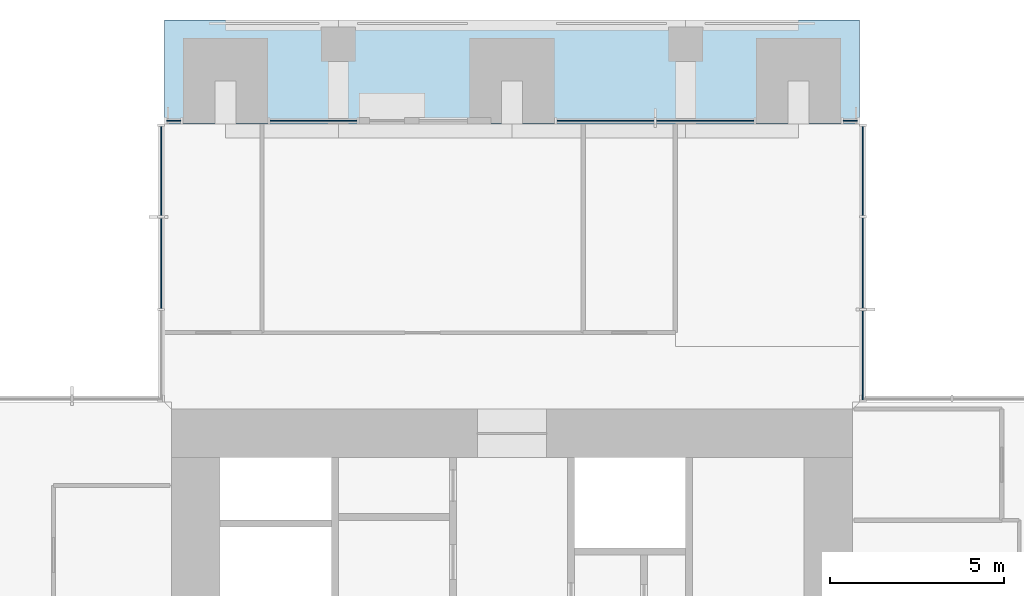
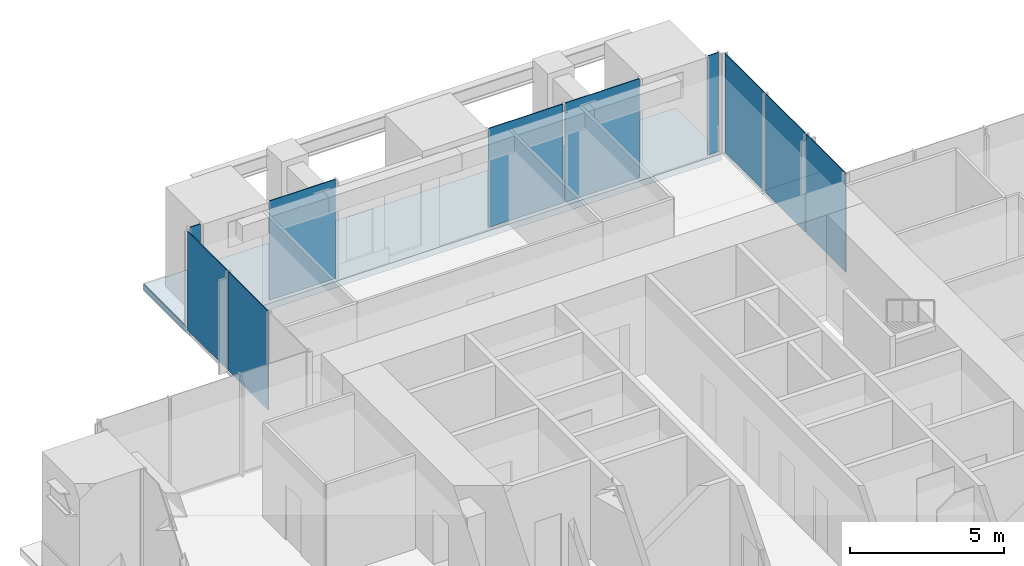
# One storey, part 11 of 17: 10 plates, 1 slab, 6 elements without a shape of their own.
"""IFC4 building model written with IfcOpenShell, lengths in metres."""

import ifcopenshell
import ifcopenshell.guid

model = None  # the IFC model being written
_history = None  # IfcOwnerHistory: only IFC2X3 demands one
_inside = {}  # id of a spatial element -> (the spatial element, [elements in it])
_under = {}  # id of a project, library or spatial element -> (it, [spatial elements below it])
_declared = {}  # id of a project -> (the project, [libraries it declares])
_typed = {}  # id of a type object -> (the type object, [elements of that type])
_made_of = {}  # id of a material, layer set ... -> (it, [elements and type objects made of it])


def new_model(schema):
    """Start an empty IFC model of exactly this schema.

    Asked for "IFC4X3", IfcOpenShell would pick the latest addendum, in which some entities
    have other attributes; the version numbers below select the first issue.
    IFC2X3 requires an IfcOwnerHistory on every rooted entity: one is made here for all.
    """
    global model, _history
    if schema == "IFC4X3":
        model = ifcopenshell.file(schema_version=(4, 3, 0, 0))
    else:
        model = ifcopenshell.file(schema=schema)
    _inside.clear()
    _under.clear()
    _declared.clear()
    _typed.clear()
    _made_of.clear()
    _history = None
    if model.schema == "IFC2X3":
        org = make("IfcOrganization", Name="unknown")
        user = make(
            "IfcPersonAndOrganization",
            ThePerson=make("IfcPerson", FamilyName="unknown"),
            TheOrganization=org,
        )
        app = make(
            "IfcApplication",
            ApplicationDeveloper=org,
            Version="unknown",
            ApplicationFullName="unknown",
            ApplicationIdentifier="unknown",
        )
        _history = make(
            "IfcOwnerHistory",
            OwningUser=user,
            OwningApplication=app,
            ChangeAction="ADDED",
            CreationDate=0,
        )
    return model


def make(cls, **values):
    """One entity of the class cls with the attributes given. An attribute that is None is left unset."""
    return model.create_entity(
        cls, **{name: value for name, value in values.items() if value is not None}
    )


def rooted(cls, **values):
    """An entity with a GlobalId (a new one), such as an element, a storey or a relation."""
    return make(cls, GlobalId=ifcopenshell.guid.new(), OwnerHistory=_history, **values)


def si_unit(unit_type, name, prefix=None):
    """IfcSIUnit, for example si_unit("LENGTHUNIT", "METRE", prefix="MILLI")."""
    return make("IfcSIUnit", UnitType=unit_type, Prefix=prefix, Name=name)


def assignment(units):
    """IfcUnitAssignment: the units of a project."""
    return None if units is None else make("IfcUnitAssignment", Units=units)


def point(xyz):
    """IfcCartesianPoint."""
    return None if xyz is None else make("IfcCartesianPoint", Coordinates=xyz)


def direction(xyz):
    """IfcDirection."""
    return None if xyz is None else make("IfcDirection", DirectionRatios=xyz)


def frame(location, z_axis=None, x_axis=None):
    """IfcAxis2Placement3D, a coordinate frame: its origin and axes. An axis left out is left unset."""
    return make(
        "IfcAxis2Placement3D",
        Location=point(location),
        Axis=direction(z_axis),
        RefDirection=direction(x_axis),
    )


def frame_2d(location, x_axis=None):
    """IfcAxis2Placement2D, a coordinate frame in the plane: its origin and x axis."""
    return make(
        "IfcAxis2Placement2D", Location=point(location), RefDirection=direction(x_axis)
    )


def origin():
    """The frame at (0, 0, 0) with its axes left unset."""
    return frame((0.0, 0.0, 0.0))


def origin_2d():
    """The frame at (0, 0) in the plane with its x axis left unset."""
    return frame_2d((0.0, 0.0))


def place(relative_to, where):
    """IfcLocalPlacement: puts the frame where relative to a parent placement (None: the world)."""
    return make(
        "IfcLocalPlacement", PlacementRelTo=relative_to, RelativePlacement=where
    )


def context(
    kind, dimensions, precision=None, world=None, true_north=None, identifier=None
):
    """IfcGeometricRepresentationContext, for example the 3D "Model" context."""
    return make(
        "IfcGeometricRepresentationContext",
        ContextIdentifier=identifier,
        ContextType=kind,
        CoordinateSpaceDimension=dimensions,
        Precision=precision,
        WorldCoordinateSystem=world,
        TrueNorth=true_north,
    )


def subcontext(parent, identifier, kind, view, scale=None):
    """IfcGeometricRepresentationSubContext, for example "Body" below "Model"."""
    return make(
        "IfcGeometricRepresentationSubContext",
        ContextIdentifier=identifier,
        ContextType=kind,
        ParentContext=parent,
        TargetScale=scale,
        TargetView=view,
    )


def project(units=None, contexts=None):
    """IfcProject with its units and contexts."""
    return rooted(
        "IfcProject",
        Name="project",
        RepresentationContexts=contexts,
        UnitsInContext=assignment(units),
    )


def spatial(cls, under=None, at=None, **own):
    """A site, building, storey or space (cls), placed at a placement, below another one or the project."""
    s = rooted(cls, ObjectPlacement=at, **own)
    if under is not None:
        _under.setdefault(under.id(), (under, []))[1].append(s)
    return s


def polyline(points):
    """IfcPolyline through the points."""
    return make("IfcPolyline", Points=[point(p) for p in points])


def profile(cls, at=None, kind="AREA", **sizes):
    """A parametric profile (cls). Its sizes go by their IFC names, for example OverallWidth=200.0."""
    return make(cls, ProfileType=kind, Position=at, **sizes)


def rectangle(**sizes):
    """IfcRectangleProfileDef."""
    return profile("IfcRectangleProfileDef", **sizes)


def outline(outer, holes=None, kind="AREA"):
    """IfcArbitraryClosedProfileDef: a profile drawn as a closed curve; with holes, ...WithVoids."""
    if holes is None:
        return make("IfcArbitraryClosedProfileDef", ProfileType=kind, OuterCurve=outer)
    return make(
        "IfcArbitraryProfileDefWithVoids",
        ProfileType=kind,
        OuterCurve=outer,
        InnerCurves=holes,
    )


def extrude(swept, where, along, depth):
    """IfcExtrudedAreaSolid: the profile swept, set in the frame where, extruded along a direction by depth."""
    return make(
        "IfcExtrudedAreaSolid",
        SweptArea=swept,
        Position=where,
        ExtrudedDirection=direction(along),
        Depth=depth,
    )


def shape(context_of_items, identifier, shape_type, items):
    """IfcShapeRepresentation: the items that make up one representation, for example the "Body"."""
    return make(
        "IfcShapeRepresentation",
        ContextOfItems=context_of_items,
        RepresentationIdentifier=identifier,
        RepresentationType=shape_type,
        Items=items,
    )


def material(Name=None, Category=None):
    """IfcMaterial."""
    return make("IfcMaterial", Name=Name, Category=Category)


def layer(
    of_material, thickness, ventilated=None, Name=None, Category=None, Priority=None
):
    """IfcMaterialLayer: one layer of a wall or slab, of a material (None: an air gap)."""
    return make(
        "IfcMaterialLayer",
        Material=of_material,
        LayerThickness=thickness,
        IsVentilated=ventilated,
        Name=Name,
        Category=Category,
        Priority=Priority,
    )


def layer_set(layers, Name=None):
    """IfcMaterialLayerSet."""
    return make("IfcMaterialLayerSet", MaterialLayers=layers, LayerSetName=Name)


def made_of(thing, what):
    """Note that an element or type object is made of a material, layer set ...; save() writes the relation."""
    if what is not None:
        _made_of.setdefault(what.id(), (what, []))[1].append(thing)
    return thing


def type_object(cls, material=None, **own):
    """A type object (cls), such as IfcWallType, which elements share."""
    return made_of(rooted(cls, **own), material)


def element(
    cls,
    number,
    at=None,
    inside=None,
    cuts=None,
    type_object=None,
    material=None,
    context=None,
    identifier="Body",
    shape_type=None,
    held_by="IfcProductDefinitionShape",
    body=None,
    shapes=None,
    **own,
):
    """One element of the class cls, such as IfcWall. Its Tag is "e" and its number.

    at: its placement. inside: the storey or other place that contains it. cuts: it is an
    opening in that element (IfcRelVoidsElement). A single representation is given by context,
    identifier, shape_type and body (its items); several are given by shapes. held_by: the class
    of the entity that holds the representations. save() writes the other relations.
    """
    e = rooted(cls, Tag="e%d" % number, ObjectPlacement=at, **own)
    if body is not None:
        shapes = [shape(context, identifier, shape_type, body)]
    if shapes is not None:
        e.Representation = make(held_by, Representations=shapes)
    if inside is not None:
        _inside.setdefault(inside.id(), (inside, []))[1].append(e)
    if cuts is not None:
        rooted(
            "IfcRelVoidsElement", RelatingBuildingElement=cuts, RelatedOpeningElement=e
        )
    if type_object is not None:
        _typed.setdefault(type_object.id(), (type_object, []))[1].append(e)
    return made_of(e, material)


def aggregate(whole, parts):
    """IfcRelAggregates: a whole, such as a stair, and the parts it consists of."""
    return rooted("IfcRelAggregates", RelatingObject=whole, RelatedObjects=parts)


def save(model, path):
    """Write the relations noted so far, then the file.

    IfcRelAggregates (storeys below a building ...), IfcRelContainedInSpatialStructure (elements
    in a storey), IfcRelDefinesByType, IfcRelAssociatesMaterial and IfcRelDeclares: one each for
    every whole, place, type object, material and project.
    """
    for whole, parts in _under.values():
        aggregate(whole, parts)
    for where, things in _inside.values():
        rooted(
            "IfcRelContainedInSpatialStructure",
            RelatedElements=things,
            RelatingStructure=where,
        )
    for kind, things in _typed.values():
        rooted("IfcRelDefinesByType", RelatedObjects=things, RelatingType=kind)
    for what, things in _made_of.values():
        rooted("IfcRelAssociatesMaterial", RelatedObjects=things, RelatingMaterial=what)
    for by, libraries in _declared.values():
        rooted("IfcRelDeclares", RelatingContext=by, RelatedDefinitions=libraries)
    model.write(path)


model = new_model("IFC4")

# Units and contexts
model_context = context("Model", 3, precision=1e-05, world=origin(), true_north=direction((0.0, 1.0)))
body_context = subcontext(model_context, "Body", "Model", "MODEL_VIEW")
ifc_project = project(units=[si_unit("LENGTHUNIT", "METRE"), si_unit("AREAUNIT", "SQUARE_METRE"), si_unit("VOLUMEUNIT", "CUBIC_METRE"), si_unit("PLANEANGLEUNIT", "RADIAN"), si_unit("MASSUNIT", "GRAM", prefix="KILO")], contexts=[model_context])

# Site, building, storey
site_placement = place(None, origin())
site = spatial("IfcSite", under=ifc_project, at=site_placement, CompositionType="ELEMENT")
building_placement = place(site_placement, origin())
building = spatial("IfcBuilding", under=site, at=building_placement, Name="Svetlomir Tower", CompositionType="ELEMENT")
storey_placement = place(building_placement, frame((0.0, 0.0, 190.5)))
storey = spatial("IfcBuildingStorey", under=building, at=storey_placement, Name="L45", CompositionType="ELEMENT", Elevation=190.5)

# Curtain wall, plates
ifc_material_1 = material(Name="Bronze anodised aluminium curtain wall", Category="aluminium")
curtain_wall_type = type_object("IfcCurtainWallType", Name="CURTAIN WALL CW1 TOWER OFFICE", PredefinedType="NOTDEFINED", material=ifc_material_1)
curtain_wall_1_placement = place(storey_placement, origin())
curtain_wall_1 = element("IfcCurtainWall", 1, at=curtain_wall_1_placement, inside=storey, type_object=curtain_wall_type, Name="Curtain wall CW1 L45", PredefinedType="NOTDEFINED")
ifc_material_2 = material(Name="Tinted double glazed unit", Category="glass")
ifc_layer_1 = layer(ifc_material_2, 0.031982421875)
ifc_layer_set_1 = layer_set([ifc_layer_1], Name="Tinted double glazed unit")
plate_type = type_object("IfcPlateType", Name="CW1 GLAZED PANEL 32", PredefinedType="CURTAIN_PANEL", material=ifc_layer_set_1)
plate_1_placement = place(storey_placement, frame((31.10009765625, 32.349609375, 0.06494140625), z_axis=(0.0, 0.0, 1.0), x_axis=(0.0, 1.0, 0.0)))
plate_1 = element("IfcPlate", 2, at=plate_1_placement, type_object=plate_type, Name="CW1 panel 1.1", PredefinedType="CURTAIN_PANEL", context=body_context, shape_type="SweptSolid", body=[
    extrude(rectangle(XDim=2.569091796875, YDim=0.031982421875, at=origin_2d()), origin(), (0.0, 0.0, 1.0), 3.93505859375),
])
plate_2_placement = place(storey_placement, frame((31.10009765625, 35.0, 0.06494140625), z_axis=(0.0, 0.0, 1.0), x_axis=(0.0, 1.0, 0.0)))
plate_2 = element("IfcPlate", 3, at=plate_2_placement, type_object=plate_type, Name="CW1 panel 2.1", PredefinedType="CURTAIN_PANEL", context=body_context, shape_type="SweptSolid", body=[
    extrude(rectangle(XDim=2.6015625, YDim=0.031982421875, at=origin_2d()), origin(), (0.0, 0.0, 1.0), 3.93505859375),
])
plate_3_placement = place(storey_placement, frame((31.10009765625, 37.650390625, 0.06494140625), z_axis=(0.0, 0.0, 1.0), x_axis=(0.0, 1.0, 0.0)))
plate_3 = element("IfcPlate", 4, at=plate_3_placement, type_object=plate_type, Name="CW1 panel 3.1", PredefinedType="CURTAIN_PANEL", context=body_context, shape_type="SweptSolid", body=[
    extrude(rectangle(XDim=2.569091796875, YDim=0.031982421875, at=origin_2d()), origin(), (0.0, 0.0, 1.0), 3.93505859375),
])
aggregate(curtain_wall_1, [plate_1, plate_2, plate_3])

# Curtain wall, plate
curtain_wall_2_placement = place(storey_placement, origin())
curtain_wall_2 = element("IfcCurtainWall", 5, at=curtain_wall_2_placement, inside=storey, type_object=curtain_wall_type, Name="Curtain wall CW1 L45", PredefinedType="NOTDEFINED")
plate_4_placement = place(storey_placement, frame((30.737548828125, 39.10009765625, 0.06494140625), z_axis=(0.0, 0.0, 1.0), x_axis=(-1.0, 0.0, 0.0)))
plate_4 = element("IfcPlate", 6, at=plate_4_placement, type_object=plate_type, Name="CW1 panel 1.1", PredefinedType="CURTAIN_PANEL", context=body_context, shape_type="SweptSolid", body=[
    extrude(rectangle(XDim=0.39501953125, YDim=0.031982421875, at=origin_2d()), origin(), (0.0, 0.0, 1.0), 3.93505859375),
])
aggregate(curtain_wall_2, [plate_4])

# Curtain wall, plates
curtain_wall_3_placement = place(storey_placement, origin())
curtain_wall_3 = element("IfcCurtainWall", 7, at=curtain_wall_3_placement, inside=storey, type_object=curtain_wall_type, Name="Curtain wall CW1 L45", PredefinedType="NOTDEFINED")
plate_5_placement = place(storey_placement, frame((26.558837890625, 39.10009765625, 0.06494140625), z_axis=(0.0, 0.0, 1.0), x_axis=(-1.0, 0.0, 0.0)))
plate_5 = element("IfcPlate", 8, at=plate_5_placement, type_object=plate_type, Name="CW1 panel 1.1", PredefinedType="CURTAIN_PANEL", context=body_context, shape_type="SweptSolid", body=[
    extrude(rectangle(XDim=2.802490234375, YDim=0.031982421875, at=origin_2d()), origin(), (0.0, 0.0, 1.0), 3.93505859375),
])
plate_6_placement = place(storey_placement, frame((23.691162109375, 39.10009765625, 0.06494140625), z_axis=(0.0, 0.0, 1.0), x_axis=(-1.0, 0.0, 0.0)))
plate_6 = element("IfcPlate", 9, at=plate_6_placement, type_object=plate_type, Name="CW1 panel 2.1", PredefinedType="CURTAIN_PANEL", context=body_context, shape_type="SweptSolid", body=[
    extrude(rectangle(XDim=2.802490234375, YDim=0.031982421875, at=origin_2d()), origin(), (0.0, 0.0, 1.0), 3.93505859375),
])
aggregate(curtain_wall_3, [plate_5, plate_6])

# Curtain wall, plate
curtain_wall_4_placement = place(storey_placement, origin())
curtain_wall_4 = element("IfcCurtainWall", 10, at=curtain_wall_4_placement, inside=storey, type_object=curtain_wall_type, Name="Curtain wall CW1 L45", PredefinedType="NOTDEFINED")
plate_7_placement = place(storey_placement, frame((15.28759765625, 39.10009765625, 0.06494140625), z_axis=(0.0, 0.0, 1.0), x_axis=(-1.0, 0.0, 0.0)))
plate_7 = element("IfcPlate", 11, at=plate_7_placement, type_object=plate_type, Name="CW1 panel 1.1", PredefinedType="CURTAIN_PANEL", context=body_context, shape_type="SweptSolid", body=[
    extrude(rectangle(XDim=2.4951171875, YDim=0.031982421875, at=origin_2d()), origin(), (0.0, 0.0, 1.0), 3.93505859375),
])
aggregate(curtain_wall_4, [plate_7])

curtain_wall_5_placement = place(storey_placement, origin())
curtain_wall_5 = element("IfcCurtainWall", 12, at=curtain_wall_5_placement, inside=storey, type_object=curtain_wall_type, Name="Curtain wall CW1 L45", PredefinedType="NOTDEFINED")
plate_8_placement = place(storey_placement, frame((11.262451171875, 39.10009765625, 0.06494140625), z_axis=(0.0, 0.0, 1.0), x_axis=(-1.0, 0.0, 0.0)))
plate_8 = element("IfcPlate", 13, at=plate_8_placement, type_object=plate_type, Name="CW1 panel 1.1", PredefinedType="CURTAIN_PANEL", context=body_context, shape_type="SweptSolid", body=[
    extrude(rectangle(XDim=0.39501953125, YDim=0.031982421875, at=origin_2d()), origin(), (0.0, 0.0, 1.0), 3.93505859375),
])
aggregate(curtain_wall_5, [plate_8])

# Curtain wall, plates
curtain_wall_6_placement = place(storey_placement, origin())
curtain_wall_6 = element("IfcCurtainWall", 14, at=curtain_wall_6_placement, inside=storey, type_object=curtain_wall_type, Name="Curtain wall CW1 L45", PredefinedType="NOTDEFINED")
plate_9_placement = place(storey_placement, frame((10.89990234375, 37.650390625, 0.06494140625), z_axis=(0.0, 0.0, 1.0), x_axis=(0.0, -1.0, 0.0)))
plate_9 = element("IfcPlate", 15, at=plate_9_placement, type_object=plate_type, Name="CW1 panel 1.1", PredefinedType="CURTAIN_PANEL", context=body_context, shape_type="SweptSolid", body=[
    extrude(rectangle(XDim=2.569091796875, YDim=0.031982421875, at=origin_2d()), origin(), (0.0, 0.0, 1.0), 3.93505859375),
])
plate_10_placement = place(storey_placement, frame((10.89990234375, 35.0, 0.06494140625), z_axis=(0.0, 0.0, 1.0), x_axis=(0.0, -1.0, 0.0)))
plate_10 = element("IfcPlate", 16, at=plate_10_placement, type_object=plate_type, Name="CW1 panel 2.1", PredefinedType="CURTAIN_PANEL", context=body_context, shape_type="SweptSolid", body=[
    extrude(rectangle(XDim=2.6015625, YDim=0.031982421875, at=origin_2d()), origin(), (0.0, 0.0, 1.0), 3.93505859375),
])
aggregate(curtain_wall_6, [plate_9, plate_10])

# Slab
ifc_material_3 = material(Name="Concrete C60/75", Category="concrete")
ifc_layer_2 = layer(ifc_material_3, 0.25)
ifc_layer_set_2 = layer_set([ifc_layer_2], Name="Concrete C60/75")
slab_type = type_object("IfcSlabType", Name="PLANTED LOGGIA SLAB 250", PredefinedType="FLOOR", material=ifc_layer_set_2)
slab_placement = place(storey_placement, frame((0.0, 0.0, -0.25)))
element("IfcSlab", 17, at=slab_placement, inside=storey, type_object=slab_type, Name="L45 N planted loggia", PredefinedType="FLOOR", context=body_context, shape_type="SweptSolid", body=[
    extrude(outline(polyline([(11.0, 39.0), (31.0, 39.0), (31.0, 42.0), (11.0, 42.0), (11.0, 39.0)])), origin(), (0.0, 0.0, 1.0), 0.25),
])

save(model, "model.ifc")
